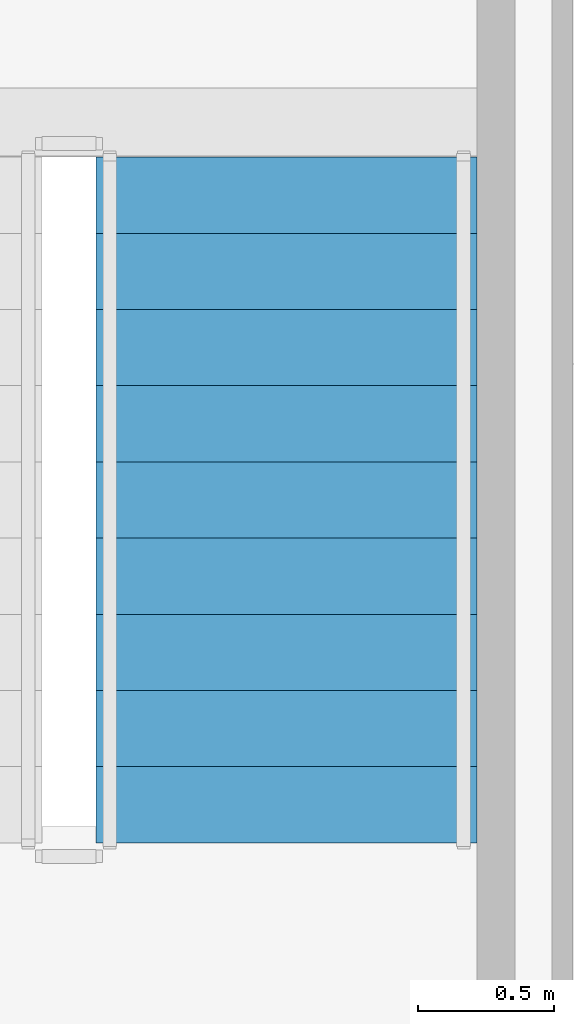
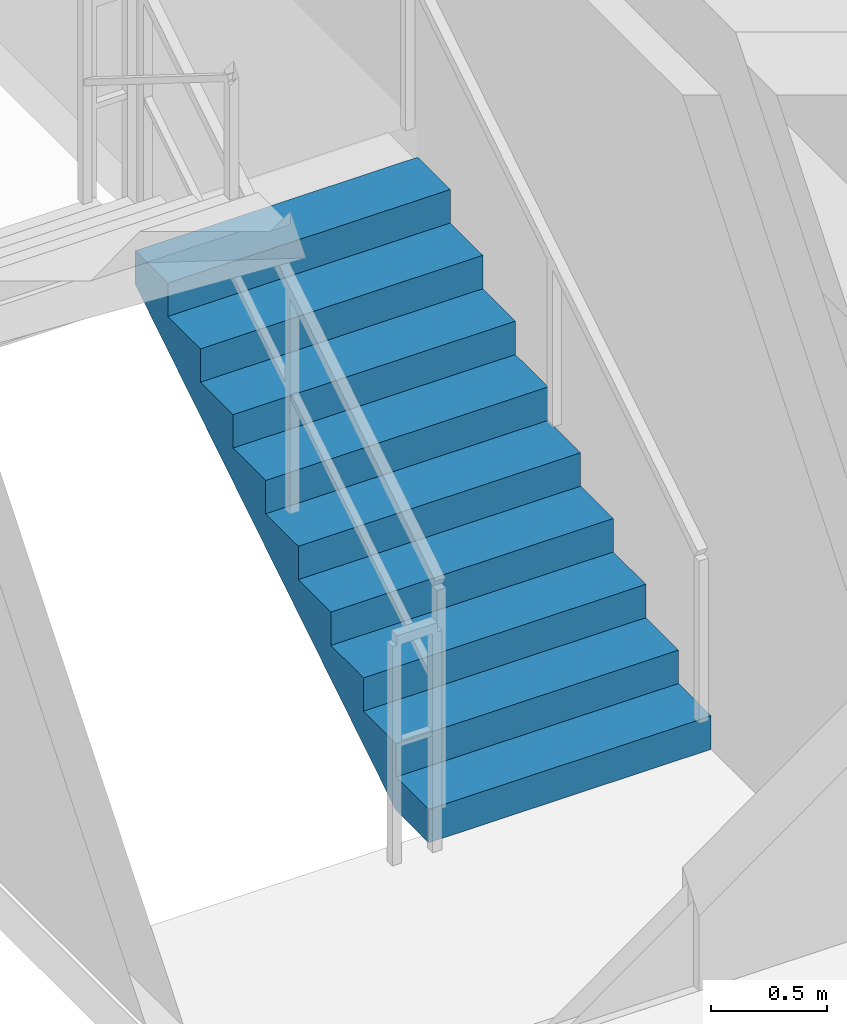
# One storey, part 44 of 45: 1 stair flight, 1 element without a shape of its own.
"""IFC4 building model written with IfcOpenShell, lengths in metres."""

from ifc_helpers import new_model, si_unit, direction, frame, origin, place, context, subcontext, project, spatial, polyline, outline, extrude, source, transform, mapped, material, type_object, element, aggregate, save


model = new_model("IFC4")

# Units and contexts
model_context = context("Model", 3, precision=1e-05, world=origin(), true_north=direction((0.0, 1.0)))
body_context = subcontext(model_context, "Body", "Model", "MODEL_VIEW")
ifc_project = project(units=[si_unit("LENGTHUNIT", "METRE"), si_unit("AREAUNIT", "SQUARE_METRE"), si_unit("VOLUMEUNIT", "CUBIC_METRE"), si_unit("PLANEANGLEUNIT", "RADIAN"), si_unit("MASSUNIT", "GRAM", prefix="KILO"), si_unit("THERMODYNAMICTEMPERATUREUNIT", "KELVIN"), si_unit("POWERUNIT", "WATT")], contexts=[model_context])

# Site, building, storey
site_placement = place(None, origin())
site = spatial("IfcSite", under=ifc_project, at=site_placement, CompositionType="ELEMENT")
building_placement = place(site_placement, origin())
building = spatial("IfcBuilding", under=site, at=building_placement, Name="Yuzanri Waterfront Tower", CompositionType="ELEMENT")
storey_placement = place(building_placement, frame((0.0, 0.0, 212.5)))
storey = spatial("IfcBuildingStorey", under=building, at=storey_placement, Name="L56", CompositionType="ELEMENT", Elevation=212.5)

# Stair, stair flight
ifc_material_1 = material(Name="Concrete C40", Category="concrete")
stair_type = type_object("IfcStairType", Name="Concrete C40 Core Dogleg Exit Stair", PredefinedType="HALF_TURN_STAIR", material=ifc_material_1)
stair_placement = place(storey_placement, origin())
stair = element("IfcStair", 1, at=stair_placement, inside=storey, type_object=stair_type, Name="L56 Smoke-Proof Core Stair ST-02", PredefinedType="HALF_TURN_STAIR")
ifc_material_2 = material(Name="Concrete C40", Category="concrete")
stair_flight_type = type_object("IfcStairFlightType", Name="Concrete C40 Precast Stair Flight 1380", PredefinedType="STRAIGHT", material=ifc_material_2)
shared_shape = source(origin(), body_context, "Body", "SweptSolid", [
    extrude(outline(polyline([(0.0, 0.0), (0.0, 0.175048828125), (0.280029296875, 0.175048828125), (0.280029296875, 0.35009765625), (0.56005859375, 0.35009765625), (0.56005859375, 0.52490234375), (0.840087890625, 0.52490234375), (0.840087890625, 0.699951171875), (1.1201171875, 0.699951171875), (1.1201171875, 0.875), (1.39990234375, 0.875), (1.39990234375, 1.050048828125), (1.679931640625, 1.050048828125), (1.679931640625, 1.22509765625), (1.9599609375, 1.22509765625), (1.9599609375, 1.39990234375), (2.239990234375, 1.39990234375), (2.239990234375, 1.574951171875), (2.52001953125, 1.574951171875), (2.52001953125, 1.75), (2.52001953125, 1.398193359375), (0.28271484375, 0.0), (0.0, 0.0)])), frame((0.0, 0.699951171875, 0.0), z_axis=(0.0, -1.0, 0.0), x_axis=(1.0, 0.0, 0.0)), (0.0, 0.0, 1.0), 1.39990234375),
])
stair_flight_placement = place(storey_placement, frame((48.89990234375, 24.0400390625, 0.0), z_axis=(0.0, 0.0, 1.0), x_axis=(0.0, 1.0, 0.0)))
stair_flight = element("IfcStairFlight", 2, at=stair_flight_placement, type_object=stair_flight_type, Name="ST-02 flight 1", NumberOfRisers=10, NumberOfTreads=9, PredefinedType="STRAIGHT", RiserHeight=0.175, TreadLength=0.28, context=body_context, shape_type="MappedRepresentation", body=[
    mapped(shared_shape, transform((0.0, 0.0, 0.0), scale=1.0)),
])
aggregate(stair, [stair_flight])

save(model, "model.ifc")
